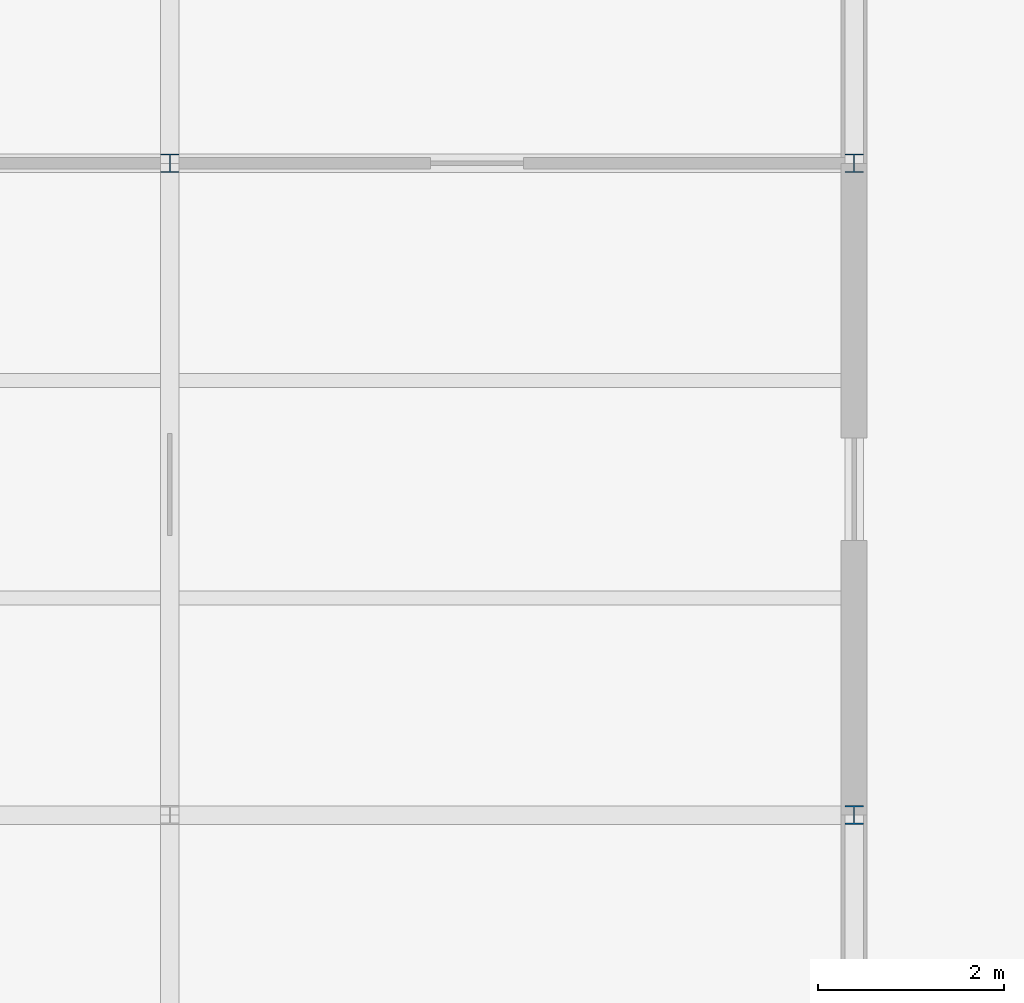
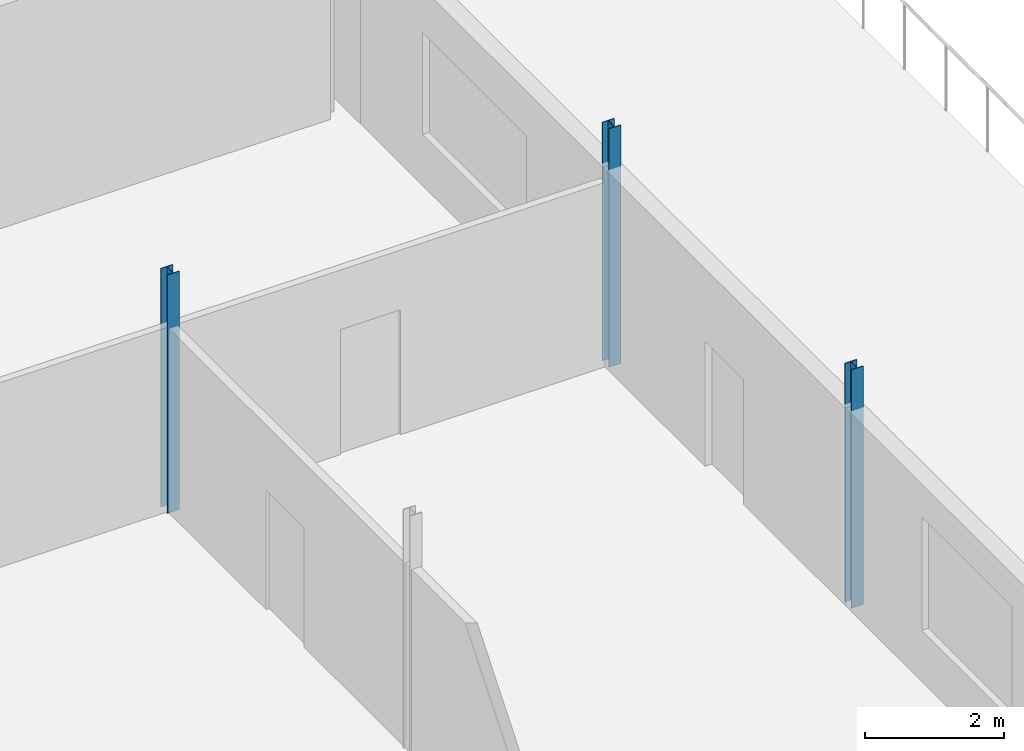
# One storey, part 4 of 10: 3 columns.
"""IFC4 building model written with IfcOpenShell, lengths in metres."""

from ifc_helpers import new_model, si_unit, direction, frame, origin, origin_2d, place, context, subcontext, project, spatial, i_section, extrude, material, material_profile, profile_set, type_object, element, save


model = new_model("IFC4")

# Units and contexts
model_context = context("Model", 3, precision=1e-05, world=origin(), true_north=direction((0.0, 1.0)))
body_context = subcontext(model_context, "Body", "Model", "MODEL_VIEW")
ifc_project = project(units=[si_unit("LENGTHUNIT", "METRE"), si_unit("AREAUNIT", "SQUARE_METRE"), si_unit("VOLUMEUNIT", "CUBIC_METRE"), si_unit("PLANEANGLEUNIT", "RADIAN"), si_unit("MASSUNIT", "GRAM", prefix="KILO")], contexts=[model_context])

# Site, building, storey
site_placement = place(None, origin())
site = spatial("IfcSite", under=ifc_project, at=site_placement, CompositionType="ELEMENT")
building_placement = place(site_placement, origin())
building = spatial("IfcBuilding", under=site, at=building_placement, Name="Kazenagashi Tramway Depot", CompositionType="ELEMENT")
storey_placement = place(building_placement, frame((0.0, 0.0, 19.5)))
storey = spatial("IfcBuildingStorey", under=building, at=storey_placement, Name="L05", CompositionType="ELEMENT", Elevation=19.5)

# Columns
ifc_material = material(Name="Steel SN400B", Category="steel")
ifc_material_profile = material_profile(ifc_material, i_section(OverallWidth=0.2, OverallDepth=0.2, WebThickness=0.008, FlangeThickness=0.012, at=origin_2d()), Name="H-200x200x8x12")
ifc_profile_set = profile_set([ifc_material_profile], Name="Steel SN400B")
column_type = type_object("IfcColumnType", Name="C-07", PredefinedType="COLUMN", material=ifc_profile_set)
for number, where, z_axis, x_axis, name in (
    (1, (22.05, 28.0, 0.0), (0.0, 0.0, 1.0), (1.0, 0.0, 0.0), "Column C-07 COL-0682"),
    (2, (29.4, 21.0, 0.0), (0.0, 0.0, 1.0), (1.0, 0.0, 0.0), "Column C-07 COL-0722"),
    (3, (29.4, 28.0, 0.0), (0.0, 0.0, 1.0), (1.0, 0.0, 0.0), "Column C-07 COL-0727"),
):
    element("IfcColumn", number, at=place(storey_placement, frame(where, z_axis=z_axis, x_axis=x_axis)), inside=storey, type_object=column_type, Name=name, PredefinedType="COLUMN", context=body_context, shape_type="SweptSolid", body=[
        extrude(i_section(OverallWidth=0.2, OverallDepth=0.2, WebThickness=0.008, FlangeThickness=0.012, at=origin_2d()), origin(), (0.0, 0.0, 1.0), 4.2),
    ])

save(model, "model.ifc")
